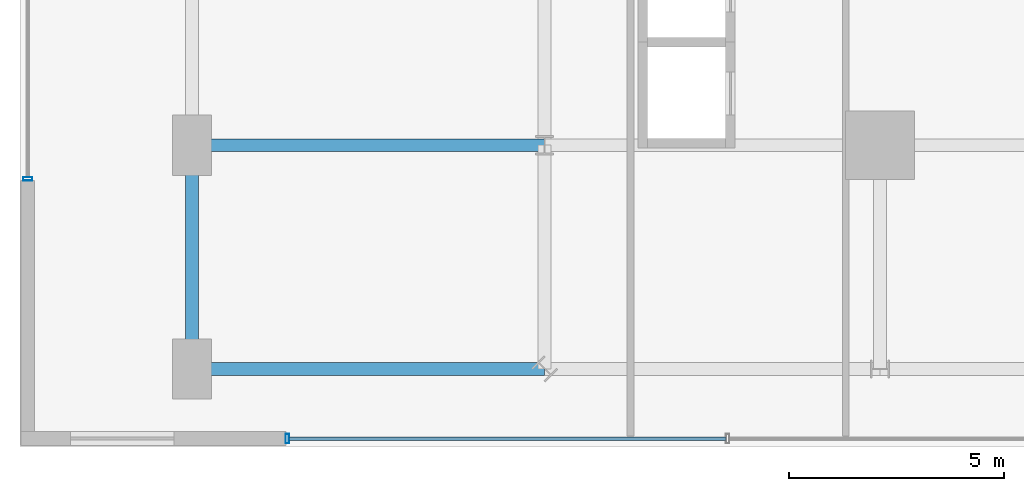
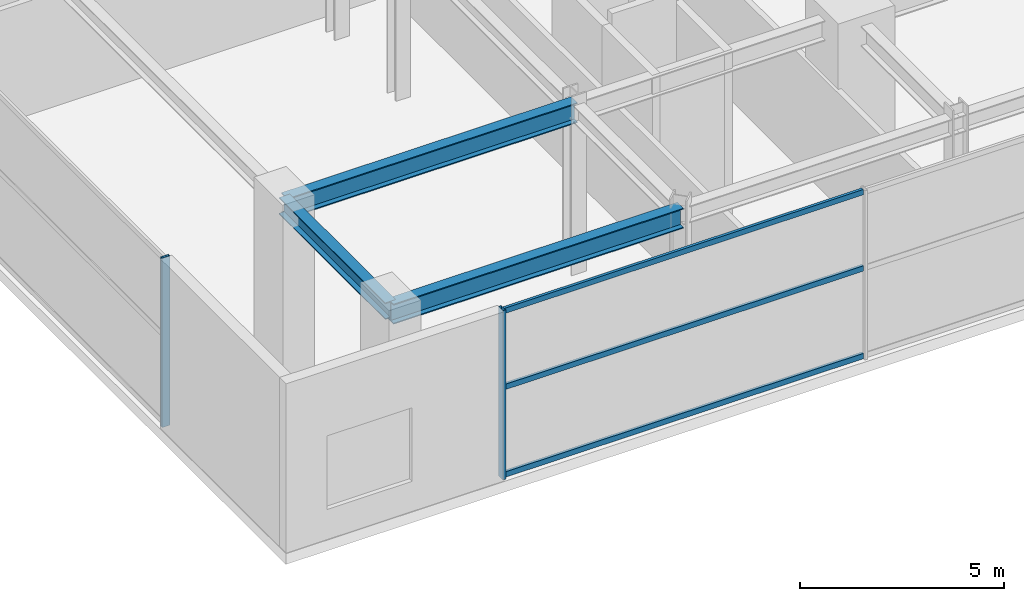
# One storey, part 4 of 32: 5 members, 3 beams, 2 elements without a shape of their own.
"""IFC4 building model written with IfcOpenShell, lengths in metres."""

from ifc_helpers import new_model, si_unit, direction, frame, origin, origin_2d, place, context, subcontext, project, spatial, hollow_rectangle, i_section, extrude, source, transform, mapped, material, material_profile, profile_set, type_object, element, aggregate, save


model = new_model("IFC4")

# Units and contexts
model_context = context("Model", 3, precision=1e-05, world=origin(), true_north=direction((0.0, 1.0)))
body_context = subcontext(model_context, "Body", "Model", "MODEL_VIEW")
ifc_project = project(units=[si_unit("LENGTHUNIT", "METRE"), si_unit("AREAUNIT", "SQUARE_METRE"), si_unit("VOLUMEUNIT", "CUBIC_METRE"), si_unit("PLANEANGLEUNIT", "RADIAN"), si_unit("MASSUNIT", "GRAM", prefix="KILO")], contexts=[model_context])

# Site, building, storey
site_placement = place(None, origin())
site = spatial("IfcSite", under=ifc_project, at=site_placement, CompositionType="ELEMENT")
building_placement = place(site_placement, origin())
building = spatial("IfcBuilding", under=site, at=building_placement, Name="Nahalor Promenade Grand Hotel", CompositionType="ELEMENT")
storey_placement = place(building_placement, frame((0.0, 0.0, 10.800048828125)))
storey = spatial("IfcBuildingStorey", under=building, at=storey_placement, Name="L02", CompositionType="ELEMENT", Elevation=10.800048828125)

# Beams
ifc_material_1 = material(Name="Steel S355JR", Category="steel")
ifc_material_profile_1 = material_profile(ifc_material_1, i_section(OverallWidth=0.3, OverallDepth=0.6, WebThickness=0.0155, FlangeThickness=0.03, at=origin_2d()), Name="HEB 600")
ifc_profile_set_1 = profile_set([ifc_material_profile_1], Name="Steel S355JR")
beam_type_1 = type_object("IfcBeamType", Name="Beam-Girder-HEB600", PredefinedType="BEAM", material=ifc_profile_set_1)
shared_shape_1 = source(origin(), body_context, "Body", "SweptSolid", [
    extrude(i_section(OverallWidth=0.3, OverallDepth=0.6, WebThickness=0.0155, FlangeThickness=0.03, at=origin_2d()), origin(), (0.0, 0.0, 1.0), 8.199951171875),
])
for number, where, z_axis, x_axis, name in (
    (1, (-33.0, -17.0, 4.760009765625), (1.0, 0.0, 0.0), (0.0, 1.0, 0.0), "BM-L02-GX-0-0"),
    (2, (-24.800048828125, -22.199951171875, 4.760009765625), (-1.0, 0.0, 0.0), (0.0, -1.0, 0.0), "BM-L02-TIE-PW--22"),
):
    element("IfcBeam", number, at=place(storey_placement, frame(where, z_axis=z_axis, x_axis=x_axis)), inside=storey, type_object=beam_type_1, Name=name, PredefinedType="BEAM", context=body_context, shape_type="MappedRepresentation", body=[
        mapped(shared_shape_1, transform((0.0, 0.0, 0.0), scale=1.0)),
    ])
ifc_material_profile_2 = material_profile(ifc_material_1, i_section(OverallWidth=0.3, OverallDepth=0.5, WebThickness=0.0145, FlangeThickness=0.028, at=origin_2d()), Name="HEB 500")
ifc_profile_set_2 = profile_set([ifc_material_profile_2], Name="Steel S355JR")
beam_type_2 = type_object("IfcBeamType", Name="Beam-Spandrel-HEB500", PredefinedType="SPANDREL", material=ifc_profile_set_2)
shared_shape_2 = source(origin(), body_context, "Body", "SweptSolid", [
    extrude(i_section(OverallWidth=0.3, OverallDepth=0.5, WebThickness=0.0145, FlangeThickness=0.028, at=origin_2d()), origin(), (0.0, 0.0, 1.0), 5.199951171875),
])
beam_placement = place(storey_placement, frame((-33.0, -22.199951171875, 4.81005859375), z_axis=(0.0, 1.0, 0.0), x_axis=(-1.0, 0.0, 0.0)))
element("IfcBeam", 3, at=beam_placement, inside=storey, type_object=beam_type_2, Name="BM-L02-PW-0", PredefinedType="SPANDREL", context=body_context, shape_type="MappedRepresentation", body=[
    mapped(shared_shape_2, transform((0.0, 0.0, 0.0), scale=1.0)),
])

# Curtain wall, member
ifc_material_2 = material(Name="Anodised Bronze Aluminium EN AW-6063 T6", Category="aluminium")
curtain_wall_type = type_object("IfcCurtainWallType", Name="CW1 Waterfront Podium Bronze Arcade Curtain Wall", PredefinedType="USERDEFINED", material=ifc_material_2)
curtain_wall_1_placement = place(storey_placement, origin())
curtain_wall_1 = element("IfcCurtainWall", 4, at=curtain_wall_1_placement, inside=storey, type_object=curtain_wall_type, Name="L02 Curtain Wall CW-L02-S", ObjectType="UNITISED_CURTAIN_WALL", PredefinedType="USERDEFINED")
ifc_material_profile_3 = material_profile(ifc_material_2, hollow_rectangle(XDim=0.08, YDim=0.22, WallThickness=0.005, at=origin_2d()), Name="CWM 80x220x5")
ifc_profile_set_3 = profile_set([ifc_material_profile_3], Name="Anodised Bronze Aluminium EN AW-6063 T6")
member_type_1 = type_object("IfcMemberType", Name="CWM1 Podium Bronze Mullion 80x220", PredefinedType="MULLION", material=ifc_profile_set_3)
shared_shape_3 = source(origin(), body_context, "Body", "SweptSolid", [
    extrude(hollow_rectangle(XDim=0.08, YDim=0.22, WallThickness=0.005, at=origin_2d()), origin(), (0.0, 0.0, 1.0), 5.06005859375),
])
member_1_placement = place(storey_placement, frame((-30.780029296875, -23.820068359375, 0.0), z_axis=(0.0, 0.0, 1.0), x_axis=(1.0, 0.0, 0.0)))
member_1 = element("IfcMember", 5, at=member_1_placement, type_object=member_type_1, Name="CW-L02-S Mullion 0", PredefinedType="MULLION", context=body_context, shape_type="MappedRepresentation", body=[
    mapped(shared_shape_3, transform((0.0, 0.0, 0.0), scale=1.0)),
])

curtain_wall_2_placement = place(storey_placement, origin())
curtain_wall_2 = element("IfcCurtainWall", 6, at=curtain_wall_2_placement, inside=storey, type_object=curtain_wall_type, Name="L02 Curtain Wall CW-L02-W", ObjectType="UNITISED_CURTAIN_WALL", PredefinedType="USERDEFINED")
member_2_placement = place(storey_placement, frame((-36.820068359375, -17.780029296875, 0.0), z_axis=(0.0, 0.0, 1.0), x_axis=(0.0, 1.0, 0.0)))
member_2 = element("IfcMember", 7, at=member_2_placement, type_object=member_type_1, Name="CW-L02-W Mullion 0", PredefinedType="MULLION", context=body_context, shape_type="MappedRepresentation", body=[
    mapped(shared_shape_3, transform((0.0, 0.0, 0.0), scale=1.0)),
])
aggregate(curtain_wall_2, [member_2])

# Member
ifc_material_profile_4 = material_profile(ifc_material_2, hollow_rectangle(XDim=0.08, YDim=0.16, WallThickness=0.004, at=origin_2d()), Name="CWT 80x160x4")
ifc_profile_set_4 = profile_set([ifc_material_profile_4], Name="Anodised Bronze Aluminium EN AW-6063 T6")
member_type_2 = type_object("IfcMemberType", Name="CWT1 Podium Bronze Transom 80x160", PredefinedType="USERDEFINED", material=ifc_profile_set_4)
shared_shape_4 = source(origin(), body_context, "Body", "SweptSolid", [
    extrude(hollow_rectangle(XDim=0.08, YDim=0.16, WallThickness=0.004, at=origin_2d()), origin(), (0.0, 0.0, 1.0), 10.1533203125),
])
member_3_placement = place(storey_placement, frame((-30.739990234375, -23.820068359375, 0.079833984375), z_axis=(1.0, 0.0, 0.0), x_axis=(0.0, 1.0, 0.0)))
member_3 = element("IfcMember", 8, at=member_3_placement, type_object=member_type_2, Name="CW-L02-S Transom 0-0", ObjectType="TRANSOM", PredefinedType="USERDEFINED", context=body_context, shape_type="MappedRepresentation", body=[
    mapped(shared_shape_4, transform((0.0, 0.0, 0.0), scale=1.0)),
])

member_4_placement = place(storey_placement, frame((-30.739990234375, -23.820068359375, 2.699951171875), z_axis=(1.0, 0.0, 0.0), x_axis=(0.0, 1.0, 0.0)))
member_4 = element("IfcMember", 9, at=member_4_placement, type_object=member_type_2, Name="CW-L02-S Transom 0-1", ObjectType="TRANSOM", PredefinedType="USERDEFINED", context=body_context, shape_type="MappedRepresentation", body=[
    mapped(shared_shape_4, transform((0.0, 0.0, 0.0), scale=1.0)),
])

member_5_placement = place(storey_placement, frame((-30.739990234375, -23.820068359375, 4.97998046875), z_axis=(1.0, 0.0, 0.0), x_axis=(0.0, 1.0, 0.0)))
member_5 = element("IfcMember", 10, at=member_5_placement, type_object=member_type_2, Name="CW-L02-S Transom 0-2", ObjectType="TRANSOM", PredefinedType="USERDEFINED", context=body_context, shape_type="MappedRepresentation", body=[
    mapped(shared_shape_4, transform((0.0, 0.0, 0.0), scale=1.0)),
])

aggregate(curtain_wall_1, [member_1, member_3, member_4, member_5])

save(model, "model.ifc")
